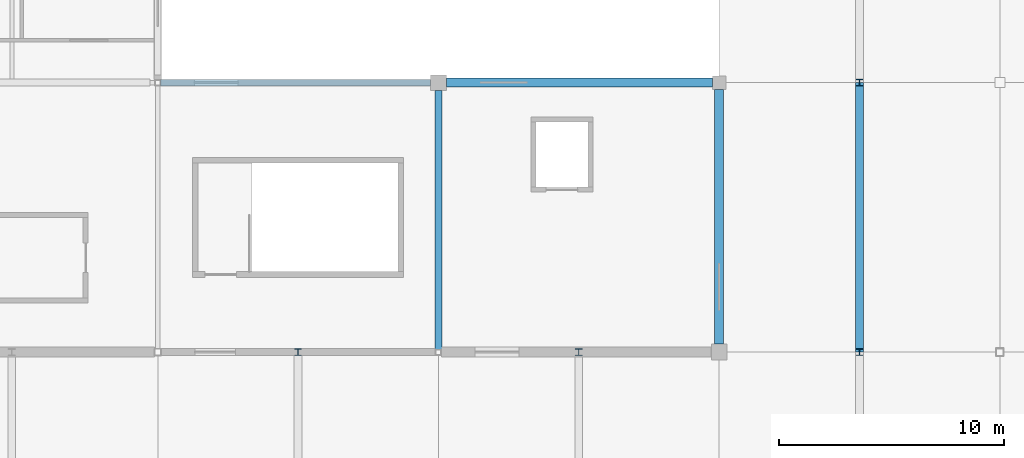
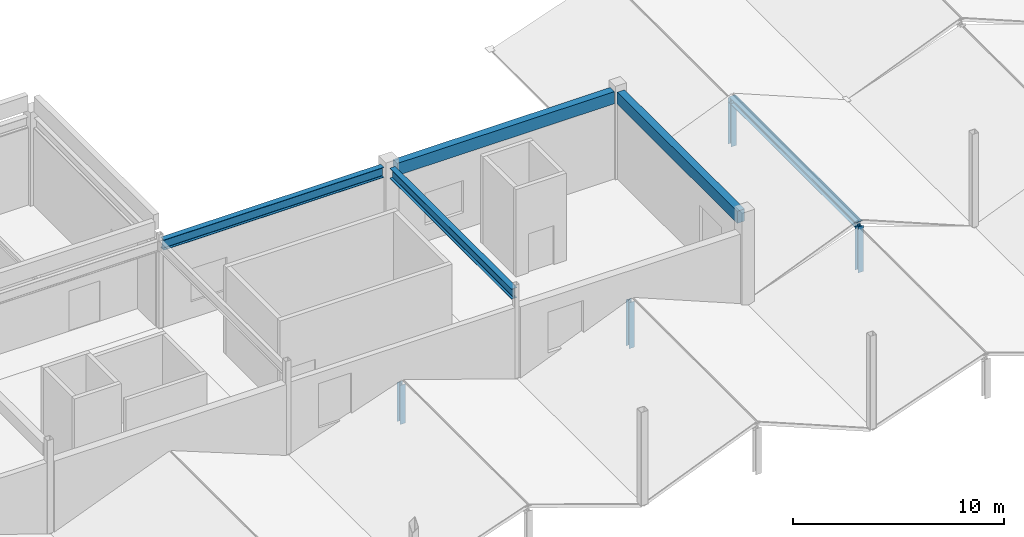
# One storey, part 46 of 76: 5 members, 4 beams.
"""IFC4 building model written with IfcOpenShell, lengths in metres."""

from ifc_helpers import new_model, si_unit, direction, frame, origin, origin_2d, place, context, subcontext, project, spatial, rectangle, i_section, extrude, material, material_profile, profile_set, type_object, element, save


model = new_model("IFC4")

# Units and contexts
model_context = context("Model", 3, precision=1e-05, world=origin(), true_north=direction((0.0, 1.0)))
body_context = subcontext(model_context, "Body", "Model", "MODEL_VIEW")
ifc_project = project(units=[si_unit("LENGTHUNIT", "METRE"), si_unit("AREAUNIT", "SQUARE_METRE"), si_unit("VOLUMEUNIT", "CUBIC_METRE"), si_unit("PLANEANGLEUNIT", "RADIAN"), si_unit("MASSUNIT", "GRAM", prefix="KILO")], contexts=[model_context])

# Site, building, storey
site_placement = place(None, origin())
site = spatial("IfcSite", under=ifc_project, at=site_placement, CompositionType="ELEMENT")
building_placement = place(site_placement, origin())
building = spatial("IfcBuilding", under=site, at=building_placement, Name="Kazenohara Klinker Stadium", CompositionType="ELEMENT")
storey_placement = place(building_placement, frame((0.0, 0.0, 25.800048828125)))
storey = spatial("IfcBuildingStorey", under=building, at=storey_placement, Name="L05", CompositionType="ELEMENT", Elevation=25.800048828125)

# Beams
ifc_material_1 = material(Name="Concrete C40/50", Category="concrete")
ifc_material_profile_1 = material_profile(ifc_material_1, rectangle(XDim=0.39990234375, YDim=0.699951171875, at=origin_2d()), Name="RC-BM-400x700")
ifc_profile_set_1 = profile_set([ifc_material_profile_1], Name="Concrete C40/50")
beam_type_1 = type_object("IfcBeamType", Name="BM-RC04", PredefinedType="BEAM", material=ifc_profile_set_1)
beam_1_placement = place(storey_placement, frame((137.85009765625, 156.0, 4.68994140625), z_axis=(1.0, 0.0, 0.0), x_axis=(0.0, 1.0, 0.0)))
element("IfcBeam", 1, at=beam_1_placement, inside=storey, type_object=beam_type_1, Name="Primary girder BG04 L05 12-13/P", PredefinedType="BEAM", context=body_context, shape_type="SweptSolid", body=[
    extrude(rectangle(XDim=0.39990234375, YDim=0.699951171875, at=origin_2d()), origin(), (0.0, 0.0, 1.0), 11.849853515625),
])
beam_2_placement = place(storey_placement, frame((150.0, 144.35009765625, 4.68994140625), z_axis=(0.0, 1.0, 0.0), x_axis=(-1.0, 0.0, 0.0)))
element("IfcBeam", 2, at=beam_2_placement, inside=storey, type_object=beam_type_1, Name="Primary girder BG04 L05 13/N-P", PredefinedType="BEAM", context=body_context, shape_type="SweptSolid", body=[
    extrude(rectangle(XDim=0.39990234375, YDim=0.699951171875, at=origin_2d()), origin(), (0.0, 0.0, 1.0), 11.349853515625),
])
ifc_material_2 = material(Name="Steel S355", Category="steel")
ifc_material_profile_2 = material_profile(ifc_material_2, i_section(OverallWidth=0.300048828125, OverallDepth=0.587890625, WebThickness=0.011962890625, FlangeThickness=0.02001953125, FilletRadius=0.02197265625, at=origin_2d()), Name="H-588x300x12x20")
ifc_profile_set_2 = profile_set([ifc_material_profile_2], Name="Steel S355")
beam_type_2 = type_object("IfcBeamType", Name="BM-ST05", PredefinedType="BEAM", material=ifc_profile_set_2)
beam_3_placement = place(storey_placement, frame((125.125, 156.0, 4.745849609375), z_axis=(1.0, 0.0, 0.0), x_axis=(0.0, 1.0, 0.0)))
element("IfcBeam", 3, at=beam_3_placement, inside=storey, type_object=beam_type_2, Name="Primary girder SB05 L05 11-12/P", PredefinedType="BEAM", context=body_context, shape_type="SweptSolid", body=[
    extrude(i_section(OverallWidth=0.300048828125, OverallDepth=0.587890625, WebThickness=0.011962890625, FlangeThickness=0.02001953125, FilletRadius=0.02197265625, at=origin_2d()), origin(), (0.0, 0.0, 1.0), 12.02490234375),
])
beam_4_placement = place(storey_placement, frame((137.5, 144.125, 4.745849609375), z_axis=(0.0, 1.0, 0.0), x_axis=(-1.0, 0.0, 0.0)))
element("IfcBeam", 4, at=beam_4_placement, inside=storey, type_object=beam_type_2, Name="Primary girder SB05 L05 12/N-P", PredefinedType="BEAM", context=body_context, shape_type="SweptSolid", body=[
    extrude(i_section(OverallWidth=0.300048828125, OverallDepth=0.587890625, WebThickness=0.011962890625, FlangeThickness=0.02001953125, FilletRadius=0.02197265625, at=origin_2d()), origin(), (0.0, 0.0, 1.0), 11.52490234375),
])

# Members
ifc_material_profile_3 = material_profile(ifc_material_2, i_section(OverallWidth=0.35009765625, OverallDepth=0.35009765625, WebThickness=0.011962890625, FlangeThickness=0.01904296875, FilletRadius=0.012939453125, at=origin_2d()), Name="H-350x350x12x19")
ifc_profile_set_3 = profile_set([ifc_material_profile_3], Name="Steel S355")
member_type_1 = type_object("IfcMemberType", Name="MEM-CHD02", PredefinedType="CHORD", material=ifc_profile_set_3)
member_1_placement = place(storey_placement, frame((156.25, 144.0, 2.22998046875), z_axis=(0.0, 1.0, 0.0), x_axis=(-1.0, 0.0, 0.0)))
element("IfcMember", 5, at=member_1_placement, inside=storey, type_object=member_type_1, Name="Stepped pavilion gable ridge beam L05 13/N", PredefinedType="CHORD", context=body_context, shape_type="SweptSolid", body=[
    extrude(i_section(OverallWidth=0.35009765625, OverallDepth=0.35009765625, WebThickness=0.011962890625, FlangeThickness=0.01904296875, FilletRadius=0.012939453125, at=origin_2d()), origin(), (0.0, 0.0, 1.0), 12.0),
])
ifc_material_profile_4 = material_profile(ifc_material_2, i_section(OverallWidth=0.300048828125, OverallDepth=0.300048828125, WebThickness=0.010009765625, FlangeThickness=0.014892578125, FilletRadius=0.012939453125, at=origin_2d()), Name="H-300x300x10x15")
ifc_profile_set_4 = profile_set([ifc_material_profile_4], Name="Steel S355")
member_type_2 = type_object("IfcMemberType", Name="MEM-STR01", PredefinedType="STRUT", material=ifc_profile_set_4)
member_2_placement = place(storey_placement, frame((131.25, 144.0, -0.429931640625), z_axis=(0.0, 0.0, 1.0), x_axis=(1.0, 0.0, 0.0)))
element("IfcMember", 6, at=member_2_placement, inside=storey, type_object=member_type_2, Name="Stepped pavilion gable king-post L05 11/M N", PredefinedType="STRUT", context=body_context, shape_type="SweptSolid", body=[
    extrude(i_section(OverallWidth=0.300048828125, OverallDepth=0.300048828125, WebThickness=0.010009765625, FlangeThickness=0.014892578125, FilletRadius=0.012939453125, at=origin_2d()), origin(), (0.0, 0.0, 1.0), 2.259765625),
])
for number, where, z_axis, x_axis, name in (
    (7, (143.75, 144.0, -0.429931640625), (0.0, 0.0, 1.0), (1.0, 0.0, 0.0), "Stepped pavilion gable king-post L05 12/M N"),
    (8, (156.25, 144.0, -0.429931640625), (0.0, 0.0, 1.0), (1.0, 0.0, 0.0), "Stepped pavilion gable king-post L05 13/N S"),
    (9, (156.25, 156.0, -0.429931640625), (0.0, 0.0, 1.0), (1.0, 0.0, 0.0), "Stepped pavilion gable king-post L05 13/N N"),
):
    element("IfcMember", number, at=place(storey_placement, frame(where, z_axis=z_axis, x_axis=x_axis)), inside=storey, type_object=member_type_2, Name=name, PredefinedType="STRUT", context=body_context, shape_type="SweptSolid", body=[
        extrude(i_section(OverallWidth=0.300048828125, OverallDepth=0.300048828125, WebThickness=0.010009765625, FlangeThickness=0.014892578125, FilletRadius=0.012939453125, at=origin_2d()), origin(), (0.0, 0.0, 1.0), 2.659912109375),
    ])

save(model, "model.ifc")
